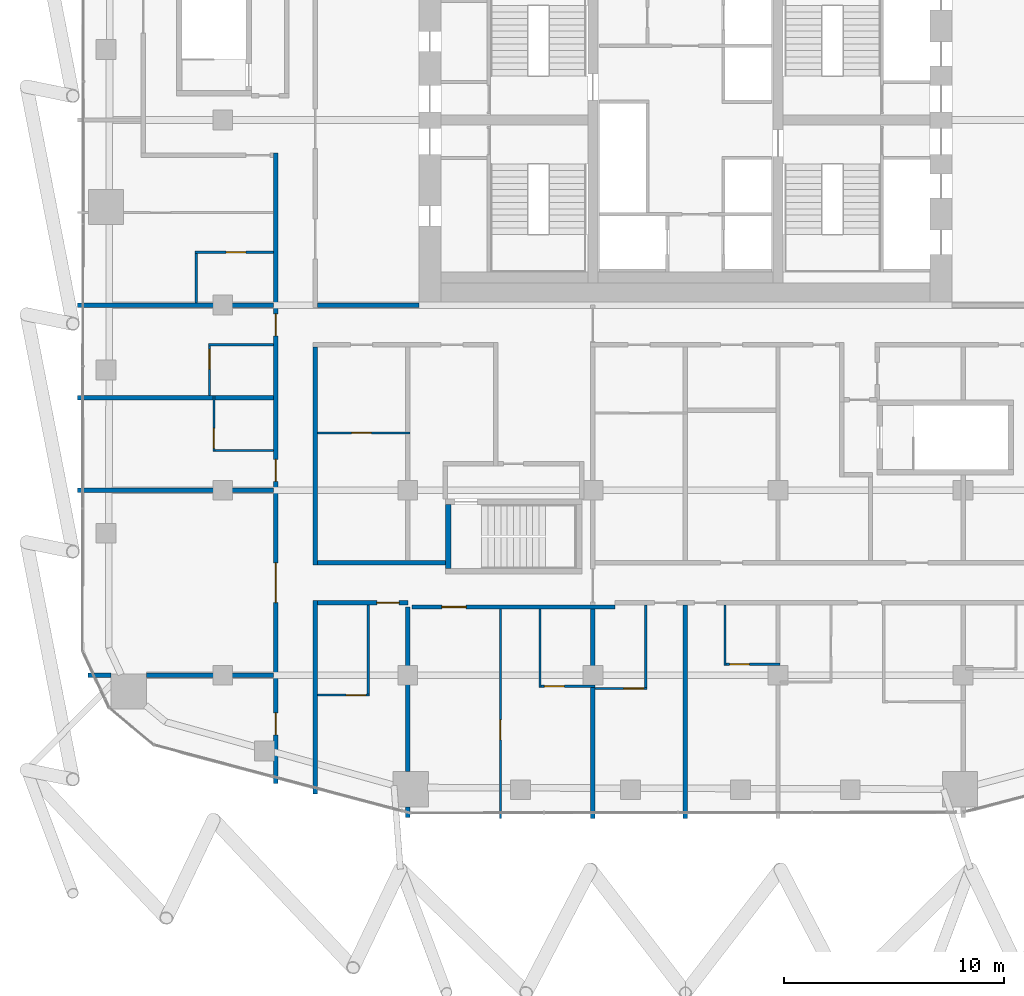
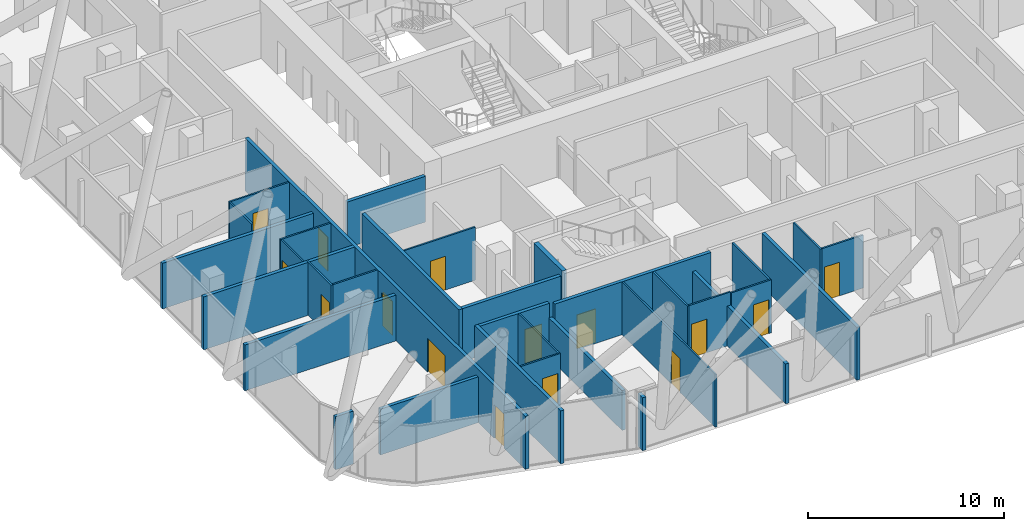
# One storey, part 26 of 34: 33 walls, 15 doors, 15 openings.
"""IFC4 building model written with IfcOpenShell, lengths in metres."""

from ifc_helpers import new_model, si_unit, direction, frame, frame_2d, origin, place, context, subcontext, project, spatial, rectangle, extrude, material, layer, layer_set, type_object, element, fill, save


model = new_model("IFC4")

# Units and contexts
model_context = context("Model", 3, precision=1e-05, world=origin(), true_north=direction((0.0, 1.0)))
body_context = subcontext(model_context, "Body", "Model", "MODEL_VIEW")
ifc_project = project(units=[si_unit("LENGTHUNIT", "METRE"), si_unit("AREAUNIT", "SQUARE_METRE"), si_unit("VOLUMEUNIT", "CUBIC_METRE"), si_unit("PLANEANGLEUNIT", "RADIAN"), si_unit("MASSUNIT", "GRAM", prefix="KILO")], contexts=[model_context])

# Site, building, storey
site_placement = place(None, origin())
site = spatial("IfcSite", under=ifc_project, at=site_placement, CompositionType="ELEMENT")
building_placement = place(site_placement, origin())
building = spatial("IfcBuilding", under=site, at=building_placement, Name="Marenta Gate Hotel Tower", CompositionType="ELEMENT")
storey_placement = place(building_placement, frame((0.0, 0.0, 166.10009765625)))
storey = spatial("IfcBuildingStorey", under=building, at=storey_placement, Name="L39", CompositionType="ELEMENT", Elevation=166.10009765625)

# Walls
ifc_material_1 = material(Name="Concrete blockwork", Category="masonry")
ifc_layer_1 = layer(ifc_material_1, 0.199951171875)
ifc_layer_set_1 = layer_set([ifc_layer_1], Name="Concrete blockwork")
wall_type_1 = type_object("IfcWallType", Name="Compartment wall 200 REI 180", PredefinedType="PARTITIONING", material=ifc_layer_set_1)
wall_1_placement = place(storey_placement, frame((-4.199951171875, -23.300048828125, 0.0), z_axis=(0.0, 0.0, 1.0), x_axis=(0.0, 1.0, 0.0)))
element("IfcWall", 1, at=wall_1_placement, inside=storey, type_object=wall_type_1, Name="L39-PTN-W072", PredefinedType="PARTITIONING", context=body_context, shape_type="SweptSolid", body=[
    extrude(rectangle(XDim=9.5, YDim=0.199951171875, at=frame_2d((4.75, 0.0))), origin(), (0.0, 0.0, 1.0), 2.48583984375),
])
ifc_material_2 = material(Name="Concrete blockwork", Category="masonry")
ifc_layer_2 = layer(ifc_material_2, 0.199951171875)
ifc_layer_set_2 = layer_set([ifc_layer_2], Name="Concrete blockwork")
wall_type_2 = type_object("IfcWallType", Name="Core boundary wall 200 REI 180", PredefinedType="PARTITIONING", material=ifc_layer_set_2)
wall_2_placement = place(storey_placement, frame((-16.699951171875, 0.0, 0.0), z_axis=(0.0, 0.0, 1.0), x_axis=(1.0, 0.0, 0.0)))
element("IfcWall", 2, at=wall_2_placement, inside=storey, type_object=wall_type_2, Name="L39-CP-EW-WS", PredefinedType="PARTITIONING", context=body_context, shape_type="SweptSolid", body=[
    extrude(rectangle(XDim=4.599853515625, YDim=0.199951171875, at=frame_2d((2.2998046875, 0.0))), origin(), (0.0, 0.0, 1.0), 2.849853515625),
])
ifc_material_3 = material(Name="Concrete C40", Category="concrete")
ifc_layer_3 = layer(ifc_material_3, 0.25)
ifc_layer_set_3 = layer_set([ifc_layer_3], Name="Concrete C40")
wall_type_3 = type_object("IfcWallType", Name="Remote stair enclosure wall 250 REI 180", PredefinedType="SHEAR", material=ifc_layer_set_3)
wall_3_placement = place(storey_placement, frame((-10.77490234375, -11.949951171875, 0.099853515625), z_axis=(0.0, 0.0, 1.0), x_axis=(0.0, 1.0, 0.0)))
element("IfcWall", 3, at=wall_3_placement, inside=storey, type_object=wall_type_3, Name="L39-RS-Z2-1-W3", PredefinedType="SHEAR", context=body_context, shape_type="SweptSolid", body=[
    extrude(rectangle(XDim=2.89990234375, YDim=0.25, at=frame_2d((1.449951171875, 0.0))), origin(), (0.0, 0.0, 1.0), 3.60009765625),
])

# Wall, opening, door
ifc_material_4 = material(Name="Gypsum board on steel stud", Category="steel")
ifc_layer_4 = layer(ifc_material_4, 0.199951171875)
ifc_layer_set_4 = layer_set([ifc_layer_4], Name="Gypsum board on steel stud")
wall_type_4 = type_object("IfcWallType", Name="Room corridor wall 200 EI 60", PredefinedType="PARTITIONING", material=ifc_layer_set_4)
wall_4_placement = place(storey_placement, frame((-12.39990234375, -13.699951171875, 0.0), z_axis=(0.0, 0.0, 1.0), x_axis=(1.0, 0.0, 0.0)))
wall_4 = element("IfcWall", 4, at=wall_4_placement, inside=storey, type_object=wall_type_4, Name="L39-PTN-W025", PredefinedType="PARTITIONING", context=body_context, shape_type="SweptSolid", body=[
    extrude(rectangle(XDim=9.199951171875, YDim=0.199951171875, at=frame_2d((4.60009765625, 0.0))), origin(), (0.0, 0.0, 1.0), 3.2998046875),
])
opening_1_placement = place(wall_4_placement, frame((1.35009765625, 0.0, 0.0)))
opening_1 = element("IfcOpeningElement", 5, at=opening_1_placement, cuts=wall_4, Name="Opening G14-32", PredefinedType="OPENING", context=body_context, shape_type="SweptSolid", body=[
    extrude(rectangle(XDim=1.10009765625, YDim=2.10009765625, at=frame_2d((0.550048828125, 1.050048828125))), frame((0.0, 0.10009765625, 0.0), z_axis=(0.0, -1.0, 0.0), x_axis=(1.0, 0.0, 0.0)), (0.0, 0.0, 1.0), 0.199951171875),
])
ifc_material_5 = material(Name="Timber door leaf", Category="wood")
door_type_1 = type_object("IfcDoorType", Name="Guest room door 1100x2100 EI 30", OperationType="NOTDEFINED", PredefinedType="DOOR", material=ifc_material_5)
door_1_placement = place(opening_1_placement, origin())
door_1 = element("IfcDoor", 6, at=door_1_placement, inside=storey, type_object=door_type_1, Name="L39-PD-D032", OperationType="SINGLE_SWING_RIGHT", OverallHeight=2.10009765625, OverallWidth=1.10009765625, PredefinedType="DOOR", context=body_context, shape_type="SweptSolid", body=[
    extrude(rectangle(XDim=1.10009765625, YDim=2.10009765625, at=frame_2d((0.550048828125, 1.050048828125))), frame((0.0, 0.02490234375, 0.0), z_axis=(0.0, -1.0, 0.0), x_axis=(1.0, 0.0, 0.0)), (0.0, 0.0, 1.0), 0.050048828125),
])
fill(opening_1, door_1)

wall_5_placement = place(storey_placement, frame((-16.699951171875, -13.5, 0.0), z_axis=(0.0, 0.0, 1.0), x_axis=(1.0, 0.0, 0.0)))
wall_5 = element("IfcWall", 7, at=wall_5_placement, inside=storey, type_object=wall_type_4, Name="L39-PTN-W026", PredefinedType="PARTITIONING", context=body_context, shape_type="SweptSolid", body=[
    extrude(rectangle(XDim=4.099853515625, YDim=0.199951171875, at=frame_2d((2.0498046875, 0.0))), origin(), (0.0, 0.0, 1.0), 3.2998046875),
])
opening_2_placement = place(wall_5_placement, frame((2.699951171875, 0.0, 0.0)))
opening_2 = element("IfcOpeningElement", 8, at=opening_2_placement, cuts=wall_5, Name="Opening G14-30", PredefinedType="OPENING", context=body_context, shape_type="SweptSolid", body=[
    extrude(rectangle(XDim=1.0, YDim=2.10009765625, at=frame_2d((0.5, 1.050048828125))), frame((0.0, 0.10009765625, 0.0), z_axis=(0.0, -1.0, 0.0), x_axis=(1.0, 0.0, 0.0)), (0.0, 0.0, 1.0), 0.199951171875),
])
ifc_material_6 = material(Name="Timber door leaf", Category="wood")
door_type_2 = type_object("IfcDoorType", Name="Guest room door 1000x2100 EI 30", OperationType="NOTDEFINED", PredefinedType="DOOR", material=ifc_material_6)
door_2_placement = place(opening_2_placement, origin())
door_2 = element("IfcDoor", 9, at=door_2_placement, inside=storey, type_object=door_type_2, Name="L39-PD-D030", OperationType="SINGLE_SWING_RIGHT", OverallHeight=2.10009765625, OverallWidth=1.0, PredefinedType="DOOR", context=body_context, shape_type="SweptSolid", body=[
    extrude(rectangle(XDim=1.0, YDim=2.10009765625, at=frame_2d((0.5, 1.050048828125))), frame((0.0, 0.02490234375, 0.0), z_axis=(0.0, -1.0, 0.0), x_axis=(1.0, 0.0, 0.0)), (0.0, 0.0, 1.0), 0.050048828125),
])
fill(opening_2, door_2)

# Walls
wall_6_placement = place(storey_placement, frame((-16.699951171875, -11.699951171875, 0.0), z_axis=(0.0, 0.0, 1.0), x_axis=(1.0, 0.0, 0.0)))
element("IfcWall", 10, at=wall_6_placement, inside=storey, type_object=wall_type_4, Name="L39-PTN-W033", PredefinedType="PARTITIONING", context=body_context, shape_type="SweptSolid", body=[
    extrude(rectangle(XDim=5.800048828125, YDim=0.199951171875, at=frame_2d((2.89990234375, 0.0))), origin(), (0.0, 0.0, 1.0), 3.2998046875),
])
wall_7_placement = place(storey_placement, frame((-16.800048828125, -22.18603515625, 0.0), z_axis=(0.0, 0.0, 1.0), x_axis=(0.0, 1.0, 0.0)))
element("IfcWall", 11, at=wall_7_placement, inside=storey, type_object=wall_type_4, Name="L39-PTN-W096", PredefinedType="PARTITIONING", context=body_context, shape_type="SweptSolid", body=[
    extrude(rectangle(XDim=8.7861328125, YDim=0.199951171875, at=frame_2d((4.39306640625, 0.0))), origin(), (0.0, 0.0, 1.0), 3.2998046875),
])
wall_8_placement = place(storey_placement, frame((-16.800048828125, -11.800048828125, 0.0), z_axis=(0.0, 0.0, 1.0), x_axis=(0.0, 1.0, 0.0)))
element("IfcWall", 12, at=wall_8_placement, inside=storey, type_object=wall_type_4, Name="L39-PTN-W097", PredefinedType="PARTITIONING", context=body_context, shape_type="SweptSolid", body=[
    extrude(rectangle(XDim=9.900146484375, YDim=0.199951171875, at=frame_2d((4.9501953125, 0.0))), origin(), (0.0, 0.0, 1.0), 3.2998046875),
])

# Wall, openings, doors
wall_9_placement = place(storey_placement, frame((-18.60009765625, -21.7080078125, 0.0), z_axis=(0.0, 0.0, 1.0), x_axis=(0.0, 1.0, 0.0)))
wall_9 = element("IfcWall", 13, at=wall_9_placement, inside=storey, type_object=wall_type_4, Name="L39-PTN-W103", PredefinedType="PARTITIONING", context=body_context, shape_type="SweptSolid", body=[
    extrude(rectangle(XDim=28.60791015625, YDim=0.199951171875, at=frame_2d((14.303955078125, 0.0))), origin(), (0.0, 0.0, 1.0), 3.2998046875),
])
opening_3_placement = place(wall_9_placement, frame((2.2041015625, 0.0, 0.0)))
opening_3 = element("IfcOpeningElement", 14, at=opening_3_placement, cuts=wall_9, Name="Opening G14-44", PredefinedType="OPENING", context=body_context, shape_type="SweptSolid", body=[
    extrude(rectangle(XDim=1.0, YDim=2.10009765625, at=frame_2d((0.5, 1.050048828125))), frame((0.0, 0.10009765625, 0.0), z_axis=(0.0, -1.0, 0.0), x_axis=(1.0, 0.0, 0.0)), (0.0, 0.0, 1.0), 0.199951171875),
])
opening_4_placement = place(wall_9_placement, frame((8.2080078125, 0.0, 0.0)))
opening_4 = element("IfcOpeningElement", 15, at=opening_4_placement, cuts=wall_9, Name="Opening G14-45", PredefinedType="OPENING", context=body_context, shape_type="SweptSolid", body=[
    extrude(rectangle(XDim=1.800048828125, YDim=2.10009765625, at=frame_2d((0.89990234375, 1.050048828125))), frame((0.0, 0.10009765625, 0.0), z_axis=(0.0, -1.0, 0.0), x_axis=(1.0, 0.0, 0.0)), (0.0, 0.0, 1.0), 0.199951171875),
])
opening_5_placement = place(wall_9_placement, frame((13.7080078125, 0.0, 0.0)))
opening_5 = element("IfcOpeningElement", 16, at=opening_5_placement, cuts=wall_9, Name="Opening G14-46", PredefinedType="OPENING", context=body_context, shape_type="SweptSolid", body=[
    extrude(rectangle(XDim=1.0, YDim=2.10009765625, at=frame_2d((0.5, 1.050048828125))), frame((0.0, 0.10009765625, 0.0), z_axis=(0.0, -1.0, 0.0), x_axis=(1.0, 0.0, 0.0)), (0.0, 0.0, 1.0), 0.199951171875),
])
opening_6_placement = place(wall_9_placement, frame((20.30810546875, 0.0, 0.0)))
opening_6 = element("IfcOpeningElement", 17, at=opening_6_placement, cuts=wall_9, Name="Opening G14-48", PredefinedType="OPENING", context=body_context, shape_type="SweptSolid", body=[
    extrude(rectangle(XDim=1.0, YDim=2.10009765625, at=frame_2d((0.5, 1.050048828125))), frame((0.0, 0.10009765625, 0.0), z_axis=(0.0, -1.0, 0.0), x_axis=(1.0, 0.0, 0.0)), (0.0, 0.0, 1.0), 0.199951171875),
])
door_3_placement = place(opening_5_placement, origin())
door_3 = element("IfcDoor", 18, at=door_3_placement, inside=storey, type_object=door_type_2, Name="L39-PD-D046", OperationType="SINGLE_SWING_LEFT", OverallHeight=2.10009765625, OverallWidth=1.0, PredefinedType="DOOR", context=body_context, shape_type="SweptSolid", body=[
    extrude(rectangle(XDim=1.0, YDim=2.10009765625, at=frame_2d((0.5, 1.050048828125))), frame((0.0, 0.02490234375, 0.0), z_axis=(0.0, -1.0, 0.0), x_axis=(1.0, 0.0, 0.0)), (0.0, 0.0, 1.0), 0.050048828125),
])
fill(opening_5, door_3)
door_4_placement = place(opening_6_placement, origin())
door_4 = element("IfcDoor", 19, at=door_4_placement, inside=storey, type_object=door_type_2, Name="L39-PD-D048", OperationType="SINGLE_SWING_LEFT", OverallHeight=2.10009765625, OverallWidth=1.0, PredefinedType="DOOR", context=body_context, shape_type="SweptSolid", body=[
    extrude(rectangle(XDim=1.0, YDim=2.10009765625, at=frame_2d((0.5, 1.050048828125))), frame((0.0, 0.02490234375, 0.0), z_axis=(0.0, -1.0, 0.0), x_axis=(1.0, 0.0, 0.0)), (0.0, 0.0, 1.0), 0.050048828125),
])
fill(opening_6, door_4)
ifc_material_7 = material(Name="Timber door leaf", Category="wood")
door_type_3 = type_object("IfcDoorType", Name="Room amenity door 1000x2100 EI 30", OperationType="NOTDEFINED", PredefinedType="DOOR", material=ifc_material_7)
door_5_placement = place(opening_3_placement, origin())
door_5 = element("IfcDoor", 20, at=door_5_placement, inside=storey, type_object=door_type_3, Name="L39-PD-D044", OperationType="SINGLE_SWING_RIGHT", OverallHeight=2.10009765625, OverallWidth=1.0, PredefinedType="DOOR", context=body_context, shape_type="SweptSolid", body=[
    extrude(rectangle(XDim=1.0, YDim=2.10009765625, at=frame_2d((0.5, 1.050048828125))), frame((0.0, 0.02490234375, 0.0), z_axis=(0.0, -1.0, 0.0), x_axis=(1.0, 0.0, 0.0)), (0.0, 0.0, 1.0), 0.050048828125),
])
fill(opening_3, door_5)
ifc_material_8 = material(Name="Timber door leaf", Category="wood")
door_type_4 = type_object("IfcDoorType", Name="Room amenity door 1800x2100 EI 30", OperationType="DOUBLE_DOOR_SINGLE_SWING", PredefinedType="DOOR", material=ifc_material_8)
door_6_placement = place(opening_4_placement, origin())
door_6 = element("IfcDoor", 21, at=door_6_placement, inside=storey, type_object=door_type_4, Name="L39-PD-D045", OperationType="DOUBLE_DOOR_SINGLE_SWING", OverallHeight=2.10009765625, OverallWidth=1.800048828125, PredefinedType="DOOR", context=body_context, shape_type="SweptSolid", body=[
    extrude(rectangle(XDim=1.800048828125, YDim=2.10009765625, at=frame_2d((0.89990234375, 1.050048828125))), frame((0.0, 0.02490234375, 0.0), z_axis=(0.0, -1.0, 0.0), x_axis=(1.0, 0.0, 0.0)), (0.0, 0.0, 1.0), 0.050048828125),
])
fill(opening_4, door_6)

# Wall, opening, door
ifc_material_9 = material(Name="Gypsum board on steel stud", Category="steel")
ifc_layer_5 = layer(ifc_material_9, 0.10009765625)
ifc_layer_set_5 = layer_set([ifc_layer_5], Name="Gypsum board on steel stud")
wall_type_5 = type_object("IfcWallType", Name="Room partition 100", PredefinedType="PARTITIONING", material=ifc_layer_set_5)
wall_10_placement = place(storey_placement, frame((-16.699951171875, -17.699951171875, 0.0), z_axis=(0.0, 0.0, 1.0), x_axis=(1.0, 0.0, 0.0)))
wall_10 = element("IfcWall", 22, at=wall_10_placement, inside=storey, type_object=wall_type_5, Name="L39-PTN-W012", PredefinedType="PARTITIONING", context=body_context, shape_type="SweptSolid", body=[
    extrude(rectangle(XDim=2.349853515625, YDim=0.10009765625, at=frame_2d((1.1748046875, 0.0))), origin(), (0.0, 0.0, 1.0), 3.2998046875),
])
opening_7_placement = place(wall_10_placement, frame((1.300048828125, 0.0, 0.0)))
opening_7 = element("IfcOpeningElement", 23, at=opening_7_placement, cuts=wall_10, Name="Opening G14-31", PredefinedType="OPENING", context=body_context, shape_type="SweptSolid", body=[
    extrude(rectangle(XDim=0.89990234375, YDim=2.10009765625, at=frame_2d((0.449951171875, 1.050048828125))), frame((0.0, 0.050048828125, 0.0), z_axis=(0.0, -1.0, 0.0), x_axis=(1.0, 0.0, 0.0)), (0.0, 0.0, 1.0), 0.10009765625),
])
ifc_material_10 = material(Name="Timber door leaf", Category="wood")
door_type_5 = type_object("IfcDoorType", Name="Guest bathroom door 900x2100", OperationType="NOTDEFINED", PredefinedType="DOOR", material=ifc_material_10)
door_7_placement = place(opening_7_placement, origin())
door_7 = element("IfcDoor", 24, at=door_7_placement, inside=storey, type_object=door_type_5, Name="L39-PD-D031", OperationType="SINGLE_SWING_RIGHT", OverallHeight=2.10009765625, OverallWidth=0.89990234375, PredefinedType="DOOR", context=body_context, shape_type="SweptSolid", body=[
    extrude(rectangle(XDim=0.89990234375, YDim=2.10009765625, at=frame_2d((0.449951171875, 1.050048828125))), frame((0.0, 0.02490234375, 0.0), z_axis=(0.0, -1.0, 0.0), x_axis=(1.0, 0.0, 0.0)), (0.0, 0.0, 1.0), 0.050048828125),
])
fill(opening_7, door_7)

wall_11_placement = place(storey_placement, frame((-4.10009765625, -17.39990234375, 0.0), z_axis=(0.0, 0.0, 1.0), x_axis=(1.0, 0.0, 0.0)))
wall_11 = element("IfcWall", 25, at=wall_11_placement, inside=storey, type_object=wall_type_5, Name="L39-PTN-W013", PredefinedType="PARTITIONING", context=body_context, shape_type="SweptSolid", body=[
    extrude(rectangle(XDim=2.35009765625, YDim=0.10009765625, at=frame_2d((1.175048828125, 0.0))), origin(), (0.0, 0.0, 1.0), 3.2998046875),
])
opening_8_placement = place(wall_11_placement, frame((1.300048828125, 0.0, 0.0)))
opening_8 = element("IfcOpeningElement", 26, at=opening_8_placement, cuts=wall_11, Name="Opening G14-36", PredefinedType="OPENING", context=body_context, shape_type="SweptSolid", body=[
    extrude(rectangle(XDim=0.89990234375, YDim=2.10009765625, at=frame_2d((0.449951171875, 1.050048828125))), frame((0.0, 0.050048828125, 0.0), z_axis=(0.0, -1.0, 0.0), x_axis=(1.0, 0.0, 0.0)), (0.0, 0.0, 1.0), 0.10009765625),
])
door_8_placement = place(opening_8_placement, origin())
door_8 = element("IfcDoor", 27, at=door_8_placement, inside=storey, type_object=door_type_5, Name="L39-PD-D036", OperationType="SINGLE_SWING_RIGHT", OverallHeight=2.10009765625, OverallWidth=0.89990234375, PredefinedType="DOOR", context=body_context, shape_type="SweptSolid", body=[
    extrude(rectangle(XDim=0.89990234375, YDim=2.10009765625, at=frame_2d((0.449951171875, 1.050048828125))), frame((0.0, 0.02490234375, 0.0), z_axis=(0.0, -1.0, 0.0), x_axis=(1.0, 0.0, 0.0)), (0.0, 0.0, 1.0), 0.050048828125),
])
fill(opening_8, door_8)

wall_12_placement = place(storey_placement, frame((-6.550048828125, -17.300048828125, 0.0), z_axis=(0.0, 0.0, 1.0), x_axis=(1.0, 0.0, 0.0)))
wall_12 = element("IfcWall", 28, at=wall_12_placement, inside=storey, type_object=wall_type_5, Name="L39-PTN-W014", PredefinedType="PARTITIONING", context=body_context, shape_type="SweptSolid", body=[
    extrude(rectangle(XDim=2.449951171875, YDim=0.10009765625, at=frame_2d((1.22509765625, 0.0))), origin(), (0.0, 0.0, 1.0), 3.2998046875),
])
opening_9_placement = place(wall_12_placement, frame((0.14990234375, 0.0, 0.0)))
opening_9 = element("IfcOpeningElement", 29, at=opening_9_placement, cuts=wall_12, Name="Opening G14-34", PredefinedType="OPENING", context=body_context, shape_type="SweptSolid", body=[
    extrude(rectangle(XDim=0.89990234375, YDim=2.10009765625, at=frame_2d((0.449951171875, 1.050048828125))), frame((0.0, 0.050048828125, 0.0), z_axis=(0.0, -1.0, 0.0), x_axis=(1.0, 0.0, 0.0)), (0.0, 0.0, 1.0), 0.10009765625),
])
door_9_placement = place(opening_9_placement, origin())
door_9 = element("IfcDoor", 30, at=door_9_placement, inside=storey, type_object=door_type_5, Name="L39-PD-D034", OperationType="SINGLE_SWING_LEFT", OverallHeight=2.10009765625, OverallWidth=0.89990234375, PredefinedType="DOOR", context=body_context, shape_type="SweptSolid", body=[
    extrude(rectangle(XDim=0.89990234375, YDim=2.10009765625, at=frame_2d((0.449951171875, 1.050048828125))), frame((0.0, 0.02490234375, 0.0), z_axis=(0.0, -1.0, 0.0), x_axis=(1.0, 0.0, 0.0)), (0.0, 0.0, 1.0), 0.050048828125),
])
fill(opening_9, door_9)

wall_13_placement = place(storey_placement, frame((1.85009765625, -16.300048828125, 0.0), z_axis=(0.0, 0.0, 1.0), x_axis=(1.0, 0.0, 0.0)))
wall_13 = element("IfcWall", 31, at=wall_13_placement, inside=storey, type_object=wall_type_5, Name="L39-PTN-W022", PredefinedType="PARTITIONING", context=body_context, shape_type="SweptSolid", body=[
    extrude(rectangle(XDim=2.449951171875, YDim=0.10009765625, at=frame_2d((1.22509765625, 0.0))), origin(), (0.0, 0.0, 1.0), 3.2998046875),
])
opening_10_placement = place(wall_13_placement, frame((0.14990234375, 0.0, 0.0)))
opening_10 = element("IfcOpeningElement", 32, at=opening_10_placement, cuts=wall_13, Name="Opening G14-38", PredefinedType="OPENING", context=body_context, shape_type="SweptSolid", body=[
    extrude(rectangle(XDim=0.89990234375, YDim=2.10009765625, at=frame_2d((0.449951171875, 1.050048828125))), frame((0.0, 0.050048828125, 0.0), z_axis=(0.0, -1.0, 0.0), x_axis=(1.0, 0.0, 0.0)), (0.0, 0.0, 1.0), 0.10009765625),
])
door_10_placement = place(opening_10_placement, origin())
door_10 = element("IfcDoor", 33, at=door_10_placement, inside=storey, type_object=door_type_5, Name="L39-PD-D038", OperationType="SINGLE_SWING_LEFT", OverallHeight=2.10009765625, OverallWidth=0.89990234375, PredefinedType="DOOR", context=body_context, shape_type="SweptSolid", body=[
    extrude(rectangle(XDim=0.89990234375, YDim=2.10009765625, at=frame_2d((0.449951171875, 1.050048828125))), frame((0.0, 0.02490234375, 0.0), z_axis=(0.0, -1.0, 0.0), x_axis=(1.0, 0.0, 0.0)), (0.0, 0.0, 1.0), 0.050048828125),
])
fill(opening_10, door_10)

# Wall
wall_14_placement = place(storey_placement, frame((-21.35009765625, -6.60009765625, 0.0), z_axis=(0.0, 0.0, 1.0), x_axis=(1.0, 0.0, 0.0)))
element("IfcWall", 34, at=wall_14_placement, inside=storey, type_object=wall_type_5, Name="L39-PTN-W049", PredefinedType="PARTITIONING", context=body_context, shape_type="SweptSolid", body=[
    extrude(rectangle(XDim=2.650146484375, YDim=0.10009765625, at=frame_2d((1.3251953125, 0.0))), origin(), (0.0, 0.0, 1.0), 3.2998046875),
])

# Wall, opening, door
wall_15_placement = place(storey_placement, frame((-16.699951171875, -5.800048828125, 0.0), z_axis=(0.0, 0.0, 1.0), x_axis=(1.0, 0.0, 0.0)))
wall_15 = element("IfcWall", 35, at=wall_15_placement, inside=storey, type_object=wall_type_5, Name="L39-PTN-W050", PredefinedType="PARTITIONING", context=body_context, shape_type="SweptSolid", body=[
    extrude(rectangle(XDim=4.199951171875, YDim=0.10009765625, at=frame_2d((2.10009765625, 0.0))), origin(), (0.0, 0.0, 1.0), 3.2998046875),
])
opening_11_placement = place(wall_15_placement, frame((1.550048828125, 0.0, 0.0)))
opening_11 = element("IfcOpeningElement", 36, at=opening_11_placement, cuts=wall_15, Name="Opening G14-02", PredefinedType="OPENING", context=body_context, shape_type="SweptSolid", body=[
    extrude(rectangle(XDim=0.89990234375, YDim=2.10009765625, at=frame_2d((0.449951171875, 1.050048828125))), frame((0.0, 0.050048828125, 0.0), z_axis=(0.0, -1.0, 0.0), x_axis=(1.0, 0.0, 0.0)), (0.0, 0.0, 1.0), 0.10009765625),
])
ifc_material_11 = material(Name="Timber door leaf", Category="wood")
door_type_6 = type_object("IfcDoorType", Name="Room inner door 900x2100", OperationType="NOTDEFINED", PredefinedType="DOOR", material=ifc_material_11)
door_11_placement = place(opening_11_placement, origin())
door_11 = element("IfcDoor", 37, at=door_11_placement, inside=storey, type_object=door_type_6, Name="L39-PD-D002", OperationType="SINGLE_SWING_RIGHT", OverallHeight=2.10009765625, OverallWidth=0.89990234375, PredefinedType="DOOR", context=body_context, shape_type="SweptSolid", body=[
    extrude(rectangle(XDim=0.89990234375, YDim=2.10009765625, at=frame_2d((0.449951171875, 1.050048828125))), frame((0.0, 0.02490234375, 0.0), z_axis=(0.0, -1.0, 0.0), x_axis=(1.0, 0.0, 0.0)), (0.0, 0.0, 1.0), 0.050048828125),
])
fill(opening_11, door_11)

# Walls
wall_16_placement = place(storey_placement, frame((1.800048828125, -16.35009765625, 0.0), z_axis=(0.0, 0.0, 1.0), x_axis=(0.0, 1.0, 0.0)))
element("IfcWall", 38, at=wall_16_placement, inside=storey, type_object=wall_type_5, Name="L39-PTN-W059", PredefinedType="PARTITIONING", context=body_context, shape_type="SweptSolid", body=[
    extrude(rectangle(XDim=2.75, YDim=0.10009765625, at=frame_2d((1.375, 0.0))), origin(), (0.0, 0.0, 1.0), 3.2998046875),
])
wall_17_placement = place(storey_placement, frame((-21.64990234375, -1.800048828125, 0.0), z_axis=(0.0, 0.0, 1.0), x_axis=(1.0, 0.0, 0.0)))
element("IfcWall", 39, at=wall_17_placement, inside=storey, type_object=wall_type_5, Name="L39-PTN-W060", PredefinedType="PARTITIONING", context=body_context, shape_type="SweptSolid", body=[
    extrude(rectangle(XDim=2.949951171875, YDim=0.10009765625, at=frame_2d((1.47509765625, 0.0))), origin(), (0.0, 0.0, 1.0), 3.2998046875),
])
wall_18_placement = place(storey_placement, frame((-1.800048828125, -17.35009765625, 0.0), z_axis=(0.0, 0.0, 1.0), x_axis=(0.0, 1.0, 0.0)))
element("IfcWall", 40, at=wall_18_placement, inside=storey, type_object=wall_type_5, Name="L39-PTN-W069", PredefinedType="PARTITIONING", context=body_context, shape_type="SweptSolid", body=[
    extrude(rectangle(XDim=3.75, YDim=0.10009765625, at=frame_2d((1.875, 0.0))), origin(), (0.0, 0.0, 1.0), 3.2998046875),
])

# Wall, opening, door
wall_19_placement = place(storey_placement, frame((-22.25, 2.39990234375, 0.0), z_axis=(0.0, 0.0, 1.0), x_axis=(1.0, 0.0, 0.0)))
wall_19 = element("IfcWall", 41, at=wall_19_placement, inside=storey, type_object=wall_type_5, Name="L39-PTN-W070", PredefinedType="PARTITIONING", context=body_context, shape_type="SweptSolid", body=[
    extrude(rectangle(XDim=3.550048828125, YDim=0.10009765625, at=frame_2d((1.77490234375, 0.0))), origin(), (0.0, 0.0, 1.0), 3.2998046875),
])
opening_12_placement = place(wall_19_placement, frame((1.39990234375, 0.0, 0.0)))
opening_12 = element("IfcOpeningElement", 42, at=opening_12_placement, cuts=wall_19, Name="Opening G14-52", PredefinedType="OPENING", context=body_context, shape_type="SweptSolid", body=[
    extrude(rectangle(XDim=0.89990234375, YDim=2.10009765625, at=frame_2d((0.449951171875, 1.050048828125))), frame((0.0, 0.050048828125, 0.0), z_axis=(0.0, -1.0, 0.0), x_axis=(1.0, 0.0, 0.0)), (0.0, 0.0, 1.0), 0.10009765625),
])
door_12_placement = place(opening_12_placement, origin())
door_12 = element("IfcDoor", 43, at=door_12_placement, inside=storey, type_object=door_type_5, Name="L39-PD-D052", OperationType="SINGLE_SWING_LEFT", OverallHeight=2.10009765625, OverallWidth=0.89990234375, PredefinedType="DOOR", context=body_context, shape_type="SweptSolid", body=[
    extrude(rectangle(XDim=0.89990234375, YDim=2.10009765625, at=frame_2d((0.449951171875, 1.050048828125))), frame((0.0, 0.02490234375, 0.0), z_axis=(0.0, -1.0, 0.0), x_axis=(1.0, 0.0, 0.0)), (0.0, 0.0, 1.0), 0.050048828125),
])
fill(opening_12, door_12)

# Wall
wall_20_placement = place(storey_placement, frame((-6.60009765625, -17.35009765625, 0.0), z_axis=(0.0, 0.0, 1.0), x_axis=(0.0, 1.0, 0.0)))
element("IfcWall", 44, at=wall_20_placement, inside=storey, type_object=wall_type_5, Name="L39-PTN-W078", PredefinedType="PARTITIONING", context=body_context, shape_type="SweptSolid", body=[
    extrude(rectangle(XDim=3.550048828125, YDim=0.10009765625, at=frame_2d((1.77490234375, 0.0))), origin(), (0.0, 0.0, 1.0), 3.2998046875),
])

# Wall, opening, door
wall_21_placement = place(storey_placement, frame((-8.39990234375, -23.300048828125, 0.0), z_axis=(0.0, 0.0, 1.0), x_axis=(0.0, 1.0, 0.0)))
wall_21 = element("IfcWall", 45, at=wall_21_placement, inside=storey, type_object=wall_type_5, Name="L39-PTN-W080", PredefinedType="PARTITIONING", context=body_context, shape_type="SweptSolid", body=[
    extrude(rectangle(XDim=9.5, YDim=0.10009765625, at=frame_2d((4.75, 0.0))), origin(), (0.0, 0.0, 1.0), 3.2998046875),
])
opening_13_placement = place(wall_21_placement, frame((3.570068359375, 0.0, 0.0)))
opening_13 = element("IfcOpeningElement", 46, at=opening_13_placement, cuts=wall_21, Name="Opening G14-33", PredefinedType="OPENING", context=body_context, shape_type="SweptSolid", body=[
    extrude(rectangle(XDim=0.89990234375, YDim=2.10009765625, at=frame_2d((0.449951171875, 1.050048828125))), frame((0.0, 0.050048828125, 0.0), z_axis=(0.0, -1.0, 0.0), x_axis=(1.0, 0.0, 0.0)), (0.0, 0.0, 1.0), 0.10009765625),
])
door_13_placement = place(opening_13_placement, origin())
door_13 = element("IfcDoor", 47, at=door_13_placement, inside=storey, type_object=door_type_6, Name="L39-PD-D033", OperationType="SINGLE_SWING_RIGHT", OverallHeight=2.10009765625, OverallWidth=0.89990234375, PredefinedType="DOOR", context=body_context, shape_type="SweptSolid", body=[
    extrude(rectangle(XDim=0.89990234375, YDim=2.10009765625, at=frame_2d((0.449951171875, 1.050048828125))), frame((0.0, 0.02490234375, 0.0), z_axis=(0.0, -1.0, 0.0), x_axis=(1.0, 0.0, 0.0)), (0.0, 0.0, 1.0), 0.050048828125),
])
fill(opening_13, door_13)

# Wall
wall_22_placement = place(storey_placement, frame((-14.39990234375, -17.64990234375, 0.0), z_axis=(0.0, 0.0, 1.0), x_axis=(0.0, 1.0, 0.0)))
element("IfcWall", 48, at=wall_22_placement, inside=storey, type_object=wall_type_5, Name="L39-PTN-W092", PredefinedType="PARTITIONING", context=body_context, shape_type="SweptSolid", body=[
    extrude(rectangle(XDim=4.0498046875, YDim=0.10009765625, at=frame_2d((2.02490234375, 0.0))), origin(), (0.0, 0.0, 1.0), 3.2998046875),
])

# Wall, opening, door
wall_23_placement = place(storey_placement, frame((-21.39990234375, -6.64990234375, 0.0), z_axis=(0.0, 0.0, 1.0), x_axis=(0.0, 1.0, 0.0)))
wall_23 = element("IfcWall", 49, at=wall_23_placement, inside=storey, type_object=wall_type_5, Name="L39-PTN-W108", PredefinedType="PARTITIONING", context=body_context, shape_type="SweptSolid", body=[
    extrude(rectangle(XDim=2.5498046875, YDim=0.10009765625, at=frame_2d((1.27490234375, 0.0))), origin(), (0.0, 0.0, 1.0), 3.2998046875),
])
opening_14_placement = place(wall_23_placement, frame((0.14990234375, 0.0, 0.0)))
opening_14 = element("IfcOpeningElement", 50, at=opening_14_placement, cuts=wall_23, Name="Opening G14-47", PredefinedType="OPENING", context=body_context, shape_type="SweptSolid", body=[
    extrude(rectangle(XDim=0.89990234375, YDim=2.10009765625, at=frame_2d((0.449951171875, 1.050048828125))), frame((0.0, 0.050048828125, 0.0), z_axis=(0.0, -1.0, 0.0), x_axis=(1.0, 0.0, 0.0)), (0.0, 0.0, 1.0), 0.10009765625),
])
door_14_placement = place(opening_14_placement, origin())
door_14 = element("IfcDoor", 51, at=door_14_placement, inside=storey, type_object=door_type_5, Name="L39-PD-D047", OperationType="SINGLE_SWING_RIGHT", OverallHeight=2.10009765625, OverallWidth=0.89990234375, PredefinedType="DOOR", context=body_context, shape_type="SweptSolid", body=[
    extrude(rectangle(XDim=0.89990234375, YDim=2.10009765625, at=frame_2d((0.449951171875, 1.050048828125))), frame((0.0, 0.02490234375, 0.0), z_axis=(0.0, -1.0, 0.0), x_axis=(1.0, 0.0, 0.0)), (0.0, 0.0, 1.0), 0.050048828125),
])
fill(opening_14, door_14)

wall_24_placement = place(storey_placement, frame((-21.60009765625, -4.10009765625, 0.0), z_axis=(0.0, 0.0, 1.0), x_axis=(0.0, 1.0, 0.0)))
wall_24 = element("IfcWall", 52, at=wall_24_placement, inside=storey, type_object=wall_type_5, Name="L39-PTN-W109", PredefinedType="PARTITIONING", context=body_context, shape_type="SweptSolid", body=[
    extrude(rectangle(XDim=2.25, YDim=0.10009765625, at=frame_2d((1.125, 0.0))), origin(), (0.0, 0.0, 1.0), 3.2998046875),
])
opening_15_placement = place(wall_24_placement, frame((1.199951171875, 0.0, 0.0)))
opening_15 = element("IfcOpeningElement", 53, at=opening_15_placement, cuts=wall_24, Name="Opening G14-49", PredefinedType="OPENING", context=body_context, shape_type="SweptSolid", body=[
    extrude(rectangle(XDim=0.89990234375, YDim=2.10009765625, at=frame_2d((0.449951171875, 1.050048828125))), frame((0.0, 0.050048828125, 0.0), z_axis=(0.0, -1.0, 0.0), x_axis=(1.0, 0.0, 0.0)), (0.0, 0.0, 1.0), 0.10009765625),
])
door_15_placement = place(opening_15_placement, origin())
door_15 = element("IfcDoor", 54, at=door_15_placement, inside=storey, type_object=door_type_5, Name="L39-PD-D049", OperationType="SINGLE_SWING_LEFT", OverallHeight=2.10009765625, OverallWidth=0.89990234375, PredefinedType="DOOR", context=body_context, shape_type="SweptSolid", body=[
    extrude(rectangle(XDim=0.89990234375, YDim=2.10009765625, at=frame_2d((0.449951171875, 1.050048828125))), frame((0.0, 0.02490234375, 0.0), z_axis=(0.0, -1.0, 0.0), x_axis=(1.0, 0.0, 0.0)), (0.0, 0.0, 1.0), 0.050048828125),
])
fill(opening_15, door_15)

# Walls
wall_25_placement = place(storey_placement, frame((-22.199951171875, 0.10009765625, 0.0), z_axis=(0.0, 0.0, 1.0), x_axis=(0.0, 1.0, 0.0)))
element("IfcWall", 55, at=wall_25_placement, inside=storey, type_object=wall_type_5, Name="L39-PTN-W112", PredefinedType="PARTITIONING", context=body_context, shape_type="SweptSolid", body=[
    extrude(rectangle(XDim=2.25, YDim=0.10009765625, at=frame_2d((1.125, 0.0))), origin(), (0.0, 0.0, 1.0), 3.2998046875),
])
ifc_material_12 = material(Name="Gypsum board on steel stud", Category="steel")
ifc_layer_6 = layer(ifc_material_12, 0.199951171875)
ifc_layer_set_6 = layer_set([ifc_layer_6], Name="Gypsum board on steel stud")
wall_type_6 = type_object("IfcWallType", Name="Room party wall 200 EI 60", PredefinedType="PARTITIONING", material=ifc_layer_set_6)
wall_26_placement = place(storey_placement, frame((-27.112060546875, -16.800048828125, 0.0), z_axis=(0.0, 0.0, 1.0), x_axis=(1.0, 0.0, 0.0)))
element("IfcWall", 56, at=wall_26_placement, inside=storey, type_object=wall_type_6, Name="L39-PTN-W019", PredefinedType="PARTITIONING", context=body_context, shape_type="SweptSolid", body=[
    extrude(rectangle(XDim=1.049072265625, YDim=0.199951171875, at=frame_2d((0.5244140625, 0.0))), origin(), (0.0, 0.0, 1.0), 3.2998046875),
])
wall_27_placement = place(storey_placement, frame((-24.462890625, -16.800048828125, 0.0), z_axis=(0.0, 0.0, 1.0), x_axis=(1.0, 0.0, 0.0)))
element("IfcWall", 57, at=wall_27_placement, inside=storey, type_object=wall_type_6, Name="L39-PTN-W118", PredefinedType="PARTITIONING", context=body_context, shape_type="SweptSolid", body=[
    extrude(rectangle(XDim=5.762939453125, YDim=0.199951171875, at=frame_2d((2.88134765625, 0.0))), origin(), (0.0, 0.0, 1.0), 2.849853515625),
])
wall_28_placement = place(storey_placement, frame((-27.60009765625, -8.39990234375, 0.0), z_axis=(0.0, 0.0, 1.0), x_axis=(1.0, 0.0, 0.0)))
element("IfcWall", 58, at=wall_28_placement, inside=storey, type_object=wall_type_6, Name="L39-PTN-W041", PredefinedType="PARTITIONING", context=body_context, shape_type="SweptSolid", body=[
    extrude(rectangle(XDim=8.900146484375, YDim=0.199951171875, at=frame_2d((4.4501953125, 0.0))), origin(), (0.0, 0.0, 1.0), 2.849853515625),
])
wall_29_placement = place(storey_placement, frame((-27.60009765625, -4.199951171875, 0.0), z_axis=(0.0, 0.0, 1.0), x_axis=(1.0, 0.0, 0.0)))
element("IfcWall", 59, at=wall_29_placement, inside=storey, type_object=wall_type_6, Name="L39-PTN-W057", PredefinedType="PARTITIONING", context=body_context, shape_type="SweptSolid", body=[
    extrude(rectangle(XDim=8.900146484375, YDim=0.199951171875, at=frame_2d((4.4501953125, 0.0))), origin(), (0.0, 0.0, 1.0), 3.2998046875),
])
wall_30_placement = place(storey_placement, frame((0.0, -23.300048828125, 0.0), z_axis=(0.0, 0.0, 1.0), x_axis=(0.0, 1.0, 0.0)))
element("IfcWall", 60, at=wall_30_placement, inside=storey, type_object=wall_type_6, Name="L39-PTN-W065", PredefinedType="PARTITIONING", context=body_context, shape_type="SweptSolid", body=[
    extrude(rectangle(XDim=9.699951171875, YDim=0.199951171875, at=frame_2d((4.85009765625, 0.0))), origin(), (0.0, 0.0, 1.0), 3.2998046875),
])
wall_31_placement = place(storey_placement, frame((-27.60009765625, 0.0, 0.0), z_axis=(0.0, 0.0, 1.0), x_axis=(1.0, 0.0, 0.0)))
element("IfcWall", 61, at=wall_31_placement, inside=storey, type_object=wall_type_6, Name="L39-PTN-W067", PredefinedType="PARTITIONING", context=body_context, shape_type="SweptSolid", body=[
    extrude(rectangle(XDim=8.900146484375, YDim=0.199951171875, at=frame_2d((4.4501953125, 0.0))), origin(), (0.0, 0.0, 1.0), 2.849853515625),
])
wall_32_placement = place(storey_placement, frame((-12.60009765625, -23.26611328125, 0.0), z_axis=(0.0, 0.0, 1.0), x_axis=(0.0, 1.0, 0.0)))
element("IfcWall", 62, at=wall_32_placement, inside=storey, type_object=wall_type_6, Name="L39-PTN-W088", PredefinedType="PARTITIONING", context=body_context, shape_type="SweptSolid", body=[
    extrude(rectangle(XDim=0.4912109375, YDim=0.199951171875, at=frame_2d((0.24560546875, 0.0))), origin(), (0.0, 0.0, 1.0), 3.2998046875),
])
wall_33_placement = place(storey_placement, frame((-12.60009765625, -21.175048828125, 0.0), z_axis=(0.0, 0.0, 1.0), x_axis=(0.0, 1.0, 0.0)))
element("IfcWall", 63, at=wall_33_placement, inside=storey, type_object=wall_type_6, Name="L39-PTN-W123", PredefinedType="PARTITIONING", context=body_context, shape_type="SweptSolid", body=[
    extrude(rectangle(XDim=7.47509765625, YDim=0.199951171875, at=frame_2d((3.737548828125, 0.0))), origin(), (0.0, 0.0, 1.0), 2.48583984375),
])

save(model, "model.ifc")
